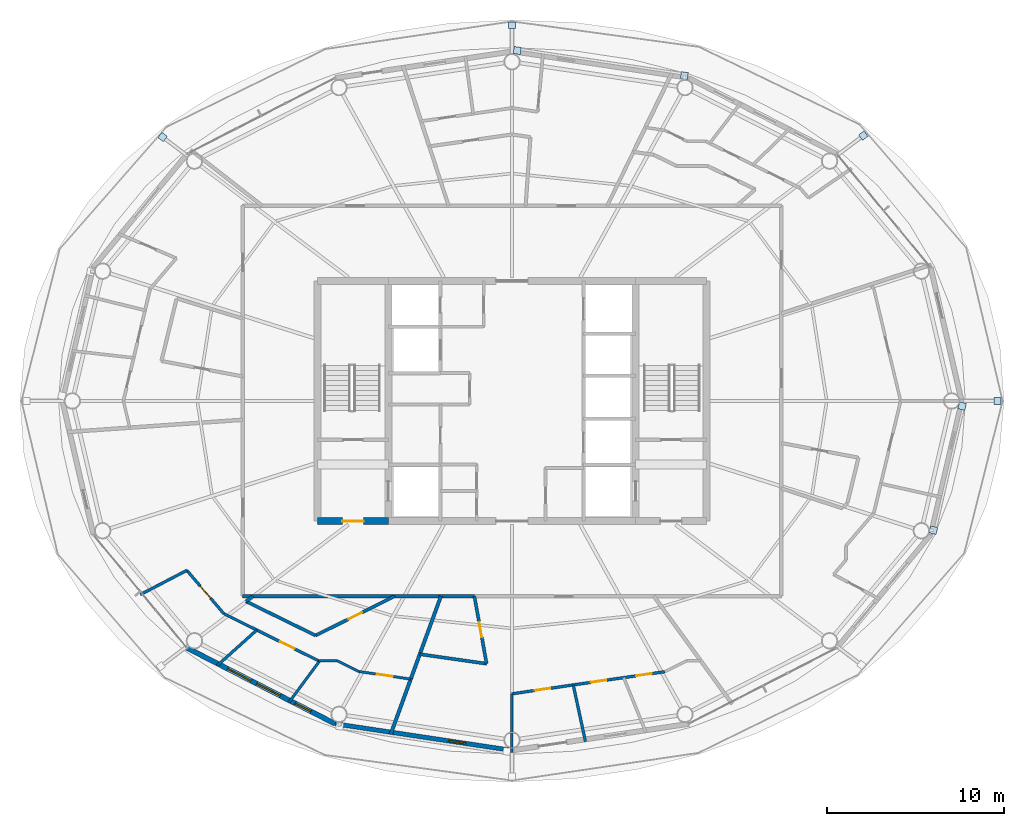
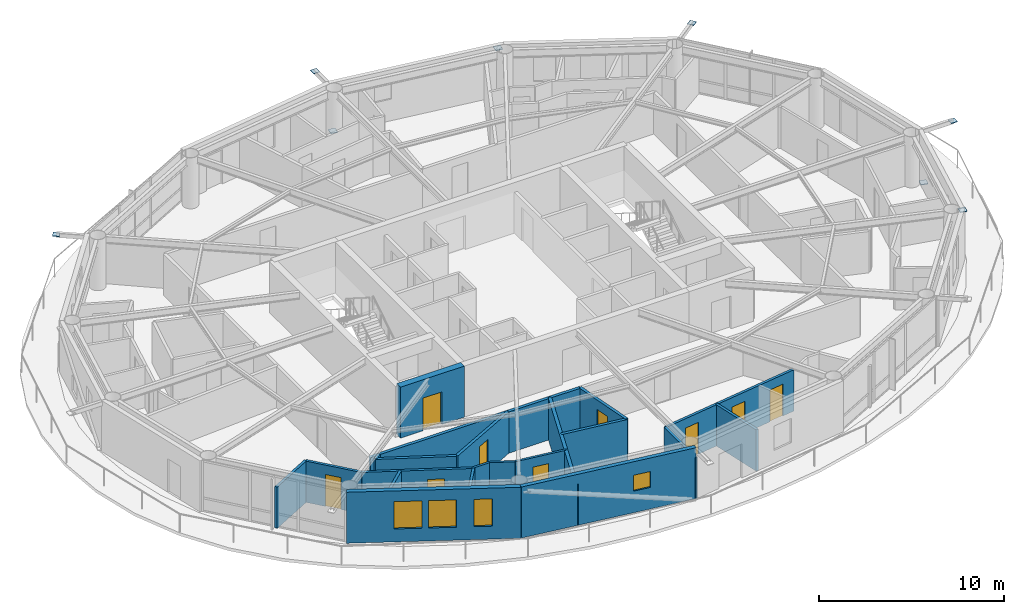
# One storey, part 15 of 23: 22 walls, 9 doors, 8 plates, 4 windows, 13 openings.
"""IFC4 building model written with IfcOpenShell, lengths in metres."""

from ifc_helpers import new_model, si_unit, direction, frame, frame_2d, origin, origin_2d, place, context, subcontext, project, spatial, rectangle, extrude, material, layer, layer_set, type_object, element, fill, save


model = new_model("IFC4")

# Units and contexts
model_context = context("Model", 3, precision=1e-05, world=origin(), true_north=direction((0.0, 1.0)))
body_context = subcontext(model_context, "Body", "Model", "MODEL_VIEW")
ifc_project = project(units=[si_unit("LENGTHUNIT", "METRE"), si_unit("AREAUNIT", "SQUARE_METRE"), si_unit("VOLUMEUNIT", "CUBIC_METRE"), si_unit("PLANEANGLEUNIT", "RADIAN"), si_unit("MASSUNIT", "GRAM", prefix="KILO")], contexts=[model_context])

# Site, building, storey
site_placement = place(None, origin())
site = spatial("IfcSite", under=ifc_project, at=site_placement, CompositionType="ELEMENT")
building_placement = place(site_placement, origin())
building = spatial("IfcBuilding", under=site, at=building_placement, Name="Sarneth Arch Tower", CompositionType="ELEMENT")
storey_placement = place(building_placement, frame((0.0, 0.0, 224.39990234375)))
storey = spatial("IfcBuildingStorey", under=building, at=storey_placement, Name="L57", CompositionType="ELEMENT", Elevation=224.39990234375)

# Plates
ifc_material_1 = material(Name="Steel S355", Category="steel")
ifc_layer_1 = layer(ifc_material_1, 0.035888671875)
ifc_layer_set_1 = layer_set([ifc_layer_1], Name="Steel S355")
plate_type = type_object("IfcPlateType", Name="PLT-GUSSET-30", PredefinedType="SHEET", material=ifc_layer_set_1)
for number, where, z_axis, x_axis, name in (
    (1, (75.47509765625, 42.0, 3.18212890625), (0.0, 0.0, 1.0), (1.0, 0.0, 0.0), "Steel end cap plate GP-1"),
    (2, (67.883544921875, 57.017822265625, 3.18212890625), (0.0, 0.0, 1.0), (0.798004853043, 0.602651022168, 0.0), "Steel end cap plate GP-1"),
):
    element("IfcPlate", number, at=place(storey_placement, frame(where, z_axis=z_axis, x_axis=x_axis)), inside=storey, type_object=plate_type, Name=name, PredefinedType="SHEET", context=body_context, shape_type="SweptSolid", body=[
        extrude(rectangle(XDim=0.3798828125, YDim=0.3798828125, at=origin_2d()), origin(), (0.0, 0.0, 1.0), 0.035888671875),
    ])
for number, where, z_axis, x_axis, name in (
    (3, (48.296630859375, 61.83544921875, 0.001953125), (0.0, 0.0, 1.0), (-0.988860535448, 0.148845024885, 0.0), "Steel end cap plate GP-1"),
    (4, (57.754150390625, 60.411376953125, 3.0185546875), (0.0, 0.0, 1.0), (-0.988860535448, 0.148845024885, 0.0), "Steel end cap plate GP-1"),
):
    element("IfcPlate", number, at=place(storey_placement, frame(where, z_axis=z_axis, x_axis=x_axis)), inside=storey, type_object=plate_type, Name=name, PredefinedType="SHEET", context=body_context, shape_type="SweptSolid", body=[
        extrude(rectangle(XDim=0.404052734375, YDim=0.404052734375, at=origin_2d()), origin(), (0.0, 0.0, 1.0), 0.035888671875),
    ])
for number, where, z_axis, x_axis, name in (
    (5, (48.0, 63.258056640625, 3.18212890625), (0.0, 0.0, 1.0), (0.0, 1.0, 0.0), "Steel end cap plate GP-1"),
    (6, (28.22265625, 56.9375, 3.18212890625), (0.0, 0.0, 1.0), (-0.798004853043, 0.602651022168, 0.0), "Steel end cap plate GP-1"),
):
    element("IfcPlate", number, at=place(storey_placement, frame(where, z_axis=z_axis, x_axis=x_axis)), inside=storey, type_object=plate_type, Name=name, PredefinedType="SHEET", context=body_context, shape_type="SweptSolid", body=[
        extrude(rectangle(XDim=0.3798828125, YDim=0.3798828125, at=origin_2d()), origin(), (0.0, 0.0, 1.0), 0.035888671875),
    ])
for number, where, z_axis, x_axis, name in (
    (7, (73.4765625, 41.707763671875, 0.001953125), (0.0, 0.0, 1.0), (0.225461202458, 0.974252147129, 0.0), "Steel end cap plate GP-1"),
    (8, (71.851806640625, 34.6845703125, 3.0185546875), (0.0, 0.0, 1.0), (0.225461202458, 0.974252147129, 0.0), "Steel end cap plate GP-1"),
):
    element("IfcPlate", number, at=place(storey_placement, frame(where, z_axis=z_axis, x_axis=x_axis)), inside=storey, type_object=plate_type, Name=name, PredefinedType="SHEET", context=body_context, shape_type="SweptSolid", body=[
        extrude(rectangle(XDim=0.404052734375, YDim=0.404052734375, at=origin_2d()), origin(), (0.0, 0.0, 1.0), 0.035888671875),
    ])

# Wall, opening, door
ifc_material_2 = material(Name="Concrete C50/60", Category="concrete")
ifc_layer_2 = layer(ifc_material_2, 0.39990234375)
ifc_layer_set_2 = layer_set([ifc_layer_2], Name="Concrete C50/60")
wall_type_1 = type_object("IfcWallType", Name="WALL-CORE-400", PredefinedType="SHEAR", material=ifc_layer_set_2)
wall_1_placement = place(storey_placement, frame((37.0, 35.199951171875, 0.0), z_axis=(0.0, 0.0, 1.0), x_axis=(1.0, 0.0, 0.0)))
wall_1 = element("IfcWall", 9, at=wall_1_placement, inside=storey, type_object=wall_type_1, Name="L57 Core shear wall S-W", PredefinedType="SHEAR", context=body_context, shape_type="SweptSolid", body=[
    extrude(rectangle(XDim=4.0, YDim=0.39990234375, at=frame_2d((2.0, 0.0))), origin(), (0.0, 0.0, 1.0), 3.360107421875),
])
opening_1_placement = place(wall_1_placement, frame((1.39990234375, 0.0, 0.0)))
opening_1 = element("IfcOpeningElement", 10, at=opening_1_placement, cuts=wall_1, Name="Opening FD-02", PredefinedType="OPENING", context=body_context, shape_type="SweptSolid", body=[
    extrude(rectangle(XDim=1.199951171875, YDim=2.14990234375, at=frame_2d((0.60009765625, 1.074951171875))), frame((0.0, 0.2099609375, 0.0), z_axis=(0.0, -1.0, 0.0), x_axis=(1.0, 0.0, 0.0)), (0.0, 0.0, 1.0), 0.419921875),
])
ifc_material_3 = material(Name="Galvanised Steel S275 fire door set", Category="steel")
door_type_1 = type_object("IfcDoorType", Name="DR-FD90-1200", OperationType="SINGLE_SWING_LEFT", PredefinedType="DOOR", material=ifc_material_3)
door_1_placement = place(opening_1_placement, origin())
door_1 = element("IfcDoor", 11, at=door_1_placement, inside=storey, type_object=door_type_1, Name="L57 Firefighting lobby 1 exit door", OperationType="SINGLE_SWING_LEFT", OverallHeight=2.14990234375, OverallWidth=1.199951171875, PredefinedType="DOOR", context=body_context, shape_type="SweptSolid", body=[
    extrude(rectangle(XDim=1.199951171875, YDim=2.14990234375, at=frame_2d((0.60009765625, 1.074951171875))), frame((0.0, 0.02490234375, 0.0), z_axis=(0.0, -1.0, 0.0), x_axis=(1.0, 0.0, 0.0)), (0.0, 0.0, 1.0), 0.050048828125),
])
fill(opening_1, door_1)

# Wall
ifc_material_4 = material(Name="Double steel-stud corridor fire wall", Category="steel")
ifc_layer_3 = layer(ifc_material_4, 0.18994140625)
ifc_layer_set_3 = layer_set([ifc_layer_3], Name="Double steel-stud corridor fire wall")
wall_type_2 = type_object("IfcWallType", Name="WALL-CORR-190", PredefinedType="PARTITIONING", material=ifc_layer_set_3)
wall_2_placement = place(storey_placement, frame((45.870361328125, 30.949951171875, 0.0), z_axis=(0.0, 0.0, 1.0), x_axis=(-1.0, 0.0, 0.0)))
element("IfcWall", 12, at=wall_2_placement, inside=storey, type_object=wall_type_2, Name="L57 Interior partition W-L57-TP-014", PredefinedType="PARTITIONING", context=body_context, shape_type="SweptSolid", body=[
    extrude(rectangle(XDim=13.120361328125, YDim=0.18994140625, at=frame_2d((6.56005859375, 0.0))), origin(), (0.0, 0.0, 1.0), 2.72021484375),
])

# Wall, opening, window
ifc_material_5 = material(Name="Extruded terracotta rainscreen on Concrete C40/50 backing", Category="masonry")
ifc_layer_4 = layer(ifc_material_5, 0.25)
ifc_layer_set_4 = layer_set([ifc_layer_4], Name="Extruded terracotta rainscreen on Concrete C40/50 backing")
wall_type_3 = type_object("IfcWallType", Name="WALL-EXT-SPAND-250", PredefinedType="SOLIDWALL", material=ifc_layer_set_4)
wall_3_placement = place(storey_placement, frame((37.9873046875, 23.7255859375, 0.0), z_axis=(0.0, 0.0, 1.0), x_axis=(0.988882522213, -0.148698881169, 0.0)))
wall_3 = element("IfcWall", 13, at=wall_3_placement, inside=storey, type_object=wall_type_3, Name="L57 Terracotta perimeter wall 12", PredefinedType="SOLIDWALL", context=body_context, shape_type="SweptSolid", body=[
    extrude(rectangle(XDim=10.125244140625, YDim=0.25, at=frame_2d((5.0625, 0.0))), origin(), (0.0, 0.0, 1.0), 3.360107421875),
])
opening_2_placement = place(wall_3_placement, frame((6.48779296875, 0.0, 1.419921875)))
opening_2 = element("IfcOpeningElement", 14, at=opening_2_placement, cuts=wall_3, Name="Opening W-14", PredefinedType="OPENING", context=body_context, shape_type="SweptSolid", body=[
    extrude(rectangle(XDim=1.0, YDim=1.050048828125, at=frame_2d((0.5, 0.52490234375))), frame((0.0, 0.135009765625, 0.0), z_axis=(0.0, -1.0, 0.0), x_axis=(1.0, 0.0, 0.0)), (0.0, 0.0, 1.0), 0.27001953125),
])
ifc_material_6 = material(Name="Thermally broken Aluminium 6063-T6 and low-e laminated IGU", Category="aluminium")
window_type_1 = type_object("IfcWindowType", Name="WIN-TWR-1000x1050", PartitioningType="SINGLE_PANEL", PredefinedType="WINDOW", material=ifc_material_6)
window_1_placement = place(opening_2_placement, origin())
window_1 = element("IfcWindow", 15, at=window_1_placement, inside=storey, type_object=window_type_1, Name="L57 Dwelling bedroom window 04", OverallHeight=1.050048828125, OverallWidth=1.0, PartitioningType="SINGLE_PANEL", PredefinedType="WINDOW", context=body_context, shape_type="SweptSolid", body=[
    extrude(rectangle(XDim=1.0, YDim=1.050048828125, at=frame_2d((0.5, 0.52490234375))), frame((0.0, 0.030029296875, 0.0), z_axis=(0.0, -1.0, 0.0), x_axis=(1.0, 0.0, 0.0)), (0.0, 0.0, 1.0), 0.06005859375),
])
fill(opening_2, window_1)

# Wall, openings, windows
ifc_material_7 = material(Name="Extruded terracotta rainscreen on Concrete C40/50 backing", Category="masonry")
ifc_layer_5 = layer(ifc_material_7, 0.280029296875)
ifc_layer_set_5 = layer_set([ifc_layer_5], Name="Extruded terracotta rainscreen on Concrete C40/50 backing")
wall_type_4 = type_object("IfcWallType", Name="WALL-EXT-TERRA-280", PredefinedType="SOLIDWALL", material=ifc_layer_set_5)
wall_4_placement = place(storey_placement, frame((29.617431640625, 28.013427734375, 0.0), z_axis=(0.0, 0.0, 1.0), x_axis=(0.890007394051, -0.455946091699, 0.0)))
wall_4 = element("IfcWall", 16, at=wall_4_placement, inside=storey, type_object=wall_type_4, Name="L57 Terracotta perimeter wall 11", PredefinedType="SOLIDWALL", context=body_context, shape_type="SweptSolid", body=[
    extrude(rectangle(XDim=9.404296875, YDim=0.280029296875, at=frame_2d((4.7021484375, 0.0))), origin(), (0.0, 0.0, 1.0), 3.360107421875),
])
opening_3_placement = place(wall_4_placement, frame((2.56640625, 0.0, 0.85009765625)))
opening_3 = element("IfcOpeningElement", 17, at=opening_3_placement, cuts=wall_4, Name="Opening W-07", PredefinedType="OPENING", context=body_context, shape_type="SweptSolid", body=[
    extrude(rectangle(XDim=1.5, YDim=1.800048828125, at=frame_2d((0.75, 0.89990234375))), frame((0.0, 0.14990234375, 0.0), z_axis=(0.0, -1.0, 0.0), x_axis=(1.0, 0.0, 0.0)), (0.0, 0.0, 1.0), 0.300048828125),
])
opening_4_placement = place(wall_4_placement, frame((4.420654296875, 0.0, 0.85009765625)))
opening_4 = element("IfcOpeningElement", 18, at=opening_4_placement, cuts=wall_4, Name="Opening W-07", PredefinedType="OPENING", context=body_context, shape_type="SweptSolid", body=[
    extrude(rectangle(XDim=1.5, YDim=1.800048828125, at=frame_2d((0.75, 0.89990234375))), frame((0.0, 0.14990234375, 0.0), z_axis=(0.0, -1.0, 0.0), x_axis=(1.0, 0.0, 0.0)), (0.0, 0.0, 1.0), 0.300048828125),
])
opening_5_placement = place(wall_4_placement, frame((6.8662109375, 0.0, 0.85009765625)))
opening_5 = element("IfcOpeningElement", 19, at=opening_5_placement, cuts=wall_4, Name="Opening W-11", PredefinedType="OPENING", context=body_context, shape_type="SweptSolid", body=[
    extrude(rectangle(XDim=1.0, YDim=1.800048828125, at=frame_2d((0.5, 0.89990234375))), frame((0.0, 0.14990234375, 0.0), z_axis=(0.0, -1.0, 0.0), x_axis=(1.0, 0.0, 0.0)), (0.0, 0.0, 1.0), 0.300048828125),
])
ifc_material_8 = material(Name="Thermally broken Aluminium 6063-T6 and low-e laminated IGU", Category="aluminium")
window_type_2 = type_object("IfcWindowType", Name="WIN-TWR-1000x1800", PartitioningType="SINGLE_PANEL", PredefinedType="WINDOW", material=ifc_material_8)
window_2_placement = place(opening_5_placement, origin())
window_2 = element("IfcWindow", 20, at=window_2_placement, inside=storey, type_object=window_type_2, Name="L57 Exterior window 11C", OverallHeight=1.800048828125, OverallWidth=1.0, PartitioningType="SINGLE_PANEL", PredefinedType="WINDOW", context=body_context, shape_type="SweptSolid", body=[
    extrude(rectangle(XDim=1.0, YDim=1.800048828125, at=frame_2d((0.5, 0.89990234375))), frame((0.0, 0.030029296875, 0.0), z_axis=(0.0, -1.0, 0.0), x_axis=(1.0, 0.0, 0.0)), (0.0, 0.0, 1.0), 0.06005859375),
])
fill(opening_5, window_2)
ifc_material_9 = material(Name="Thermally broken Aluminium 6063-T6 and low-e laminated IGU", Category="aluminium")
window_type_3 = type_object("IfcWindowType", Name="WIN-TWR-1500x1800", PartitioningType="SINGLE_PANEL", PredefinedType="WINDOW", material=ifc_material_9)
window_3_placement = place(opening_3_placement, origin())
window_3 = element("IfcWindow", 21, at=window_3_placement, inside=storey, type_object=window_type_3, Name="L57 Exterior window 11A", OverallHeight=1.800048828125, OverallWidth=1.5, PartitioningType="SINGLE_PANEL", PredefinedType="WINDOW", context=body_context, shape_type="SweptSolid", body=[
    extrude(rectangle(XDim=1.5, YDim=1.800048828125, at=frame_2d((0.75, 0.89990234375))), frame((0.0, 0.030029296875, 0.0), z_axis=(0.0, -1.0, 0.0), x_axis=(1.0, 0.0, 0.0)), (0.0, 0.0, 1.0), 0.06005859375),
])
fill(opening_3, window_3)
window_4_placement = place(opening_4_placement, origin())
window_4 = element("IfcWindow", 22, at=window_4_placement, inside=storey, type_object=window_type_3, Name="L57 Exterior window 11B", OverallHeight=1.800048828125, OverallWidth=1.5, PartitioningType="SINGLE_PANEL", PredefinedType="WINDOW", context=body_context, shape_type="SweptSolid", body=[
    extrude(rectangle(XDim=1.5, YDim=1.800048828125, at=frame_2d((0.75, 0.89990234375))), frame((0.0, 0.030029296875, 0.0), z_axis=(0.0, -1.0, 0.0), x_axis=(1.0, 0.0, 0.0)), (0.0, 0.0, 1.0), 0.06005859375),
])
fill(opening_4, window_4)

# Wall, opening, door
ifc_material_10 = material(Name="Apartment internal stud partition", Category="gypsum")
ifc_layer_6 = layer(ifc_material_10, 0.139892578125)
ifc_layer_set_6 = layer_set([ifc_layer_6], Name="Apartment internal stud partition")
wall_type_5 = type_object("IfcWallType", Name="WALL-PART-140", PredefinedType="PARTITIONING", material=ifc_layer_set_6)
wall_5_placement = place(storey_placement, frame((42.26953125, 26.255615234375, 0.0), z_axis=(0.0, 0.0, 1.0), x_axis=(-0.989530523264, 0.144323745545, 0.0)))
wall_5 = element("IfcWall", 23, at=wall_5_placement, inside=storey, type_object=wall_type_5, Name="L57 Interior partition W-L57-TP-074", PredefinedType="PARTITIONING", context=body_context, shape_type="SweptSolid", body=[
    extrude(rectangle(XDim=2.955322265625, YDim=0.139892578125, at=frame_2d((1.4775390625, 0.0))), origin(), (0.0, 0.0, 1.0), 2.72021484375),
])
opening_6_placement = place(wall_5_placement, frame((1.027587890625, 0.0, 0.0)))
opening_6 = element("IfcOpeningElement", 24, at=opening_6_placement, cuts=wall_5, Name="Opening ID-01", PredefinedType="OPENING", context=body_context, shape_type="SweptSolid", body=[
    extrude(rectangle(XDim=0.89990234375, YDim=2.10009765625, at=frame_2d((0.449951171875, 1.050048828125))), frame((0.0, 0.079833984375, 0.0), z_axis=(0.0, -1.0, 0.0), x_axis=(1.0, 0.0, 0.0)), (0.0, 0.0, 1.0), 0.159912109375),
])
ifc_material_11 = material(Name="Engineered hardwood flush door", Category="wood")
door_type_2 = type_object("IfcDoorType", Name="DR-INT-900", OperationType="SINGLE_SWING_LEFT", PredefinedType="DOOR", material=ifc_material_11)
door_2_placement = place(opening_6_placement, origin())
door_2 = element("IfcDoor", 25, at=door_2_placement, inside=storey, type_object=door_type_2, Name="L57 Interior door DR-L57-U5-BED2", OperationType="SINGLE_SWING_RIGHT", OverallHeight=2.10009765625, OverallWidth=0.89990234375, PredefinedType="DOOR", context=body_context, shape_type="SweptSolid", body=[
    extrude(rectangle(XDim=0.89990234375, YDim=2.10009765625, at=frame_2d((0.449951171875, 1.050048828125))), frame((0.0, 0.02490234375, 0.0), z_axis=(0.0, -1.0, 0.0), x_axis=(1.0, 0.0, 0.0)), (0.0, 0.0, 1.0), 0.050048828125),
])
fill(opening_6, door_2)

# Walls
wall_6_placement = place(storey_placement, frame((39.34521484375, 26.68212890625, 0.0), z_axis=(0.0, 0.0, 1.0), x_axis=(-0.895584310315, 0.444891833053, 0.0)))
element("IfcWall", 26, at=wall_6_placement, inside=storey, type_object=wall_type_5, Name="L57 Interior partition W-L57-TP-075", PredefinedType="PARTITIONING", context=body_context, shape_type="SweptSolid", body=[
    extrude(rectangle(XDim=1.388916015625, YDim=0.139892578125, at=frame_2d((0.6943359375, 0.0))), origin(), (0.0, 0.0, 1.0), 2.72021484375),
])
wall_7_placement = place(storey_placement, frame((38.101318359375, 27.300048828125, 0.0), z_axis=(0.0, 0.0, 1.0), x_axis=(-1.0, 0.0, 0.0)))
element("IfcWall", 27, at=wall_7_placement, inside=storey, type_object=wall_type_5, Name="L57 Interior partition W-L57-TP-076", PredefinedType="PARTITIONING", context=body_context, shape_type="SweptSolid", body=[
    extrude(rectangle(XDim=1.065185546875, YDim=0.139892578125, at=frame_2d((0.53271484375, 0.0))), origin(), (0.0, 0.0, 1.0), 2.72021484375),
])
ifc_material_12 = material(Name="Acoustic gypsum stud partition", Category="gypsum")
ifc_layer_7 = layer(ifc_material_12, 0.14990234375)
ifc_layer_set_7 = layer_set([ifc_layer_7], Name="Acoustic gypsum stud partition")
wall_type_6 = type_object("IfcWallType", Name="WALL-PART-150", PredefinedType="PARTITIONING", material=ifc_layer_set_7)
wall_8_placement = place(storey_placement, frame((35.37109375, 24.932861328125, 0.0), z_axis=(0.0, 0.0, 1.0), x_axis=(0.594787288624, 0.803883126637, 0.0)))
element("IfcWall", 28, at=wall_8_placement, inside=storey, type_object=wall_type_6, Name="L57 Interior partition W-L57-TP-080", PredefinedType="PARTITIONING", context=body_context, shape_type="SweptSolid", body=[
    extrude(rectangle(XDim=2.944580078125, YDim=0.14990234375, at=frame_2d((1.47216796875, 0.0))), origin(), (0.0, 0.0, 1.0), 2.72021484375),
])

# Wall, opening, door
ifc_material_13 = material(Name="Kitchen wet service chase wall", Category="gypsum")
ifc_layer_8 = layer(ifc_material_13, 0.159912109375)
ifc_layer_set_8 = layer_set([ifc_layer_8], Name="Kitchen wet service chase wall")
wall_type_7 = type_object("IfcWallType", Name="WALL-PLUMB-160", PredefinedType="PLUMBINGWALL", material=ifc_layer_set_8)
wall_9_placement = place(storey_placement, frame((37.0361328125, 27.300048828125, 0.0), z_axis=(0.0, 0.0, 1.0), x_axis=(-0.895471406875, 0.445119039661, 0.0)))
wall_9 = element("IfcWall", 29, at=wall_9_placement, inside=storey, type_object=wall_type_7, Name="L57 Interior partition W-L57-TP-073", PredefinedType="PLUMBINGWALL", context=body_context, shape_type="SweptSolid", body=[
    extrude(rectangle(XDim=5.971435546875, YDim=0.159912109375, at=frame_2d((2.98583984375, 0.0))), origin(), (0.0, 0.0, 1.0), 2.72021484375),
])
opening_7_placement = place(wall_9_placement, frame((1.51171875, 0.0, 0.0)))
opening_7 = element("IfcOpeningElement", 30, at=opening_7_placement, cuts=wall_9, Name="Opening ID-01", PredefinedType="OPENING", context=body_context, shape_type="SweptSolid", body=[
    extrude(rectangle(XDim=0.89990234375, YDim=2.10009765625, at=frame_2d((0.449951171875, 1.050048828125))), frame((0.0, 0.08984375, 0.0), z_axis=(0.0, -1.0, 0.0), x_axis=(1.0, 0.0, 0.0)), (0.0, 0.0, 1.0), 0.179931640625),
])
door_3_placement = place(opening_7_placement, origin())
door_3 = element("IfcDoor", 31, at=door_3_placement, inside=storey, type_object=door_type_2, Name="L57 Interior door DR-L57-U5-BED1", OperationType="SINGLE_SWING_RIGHT", OverallHeight=2.10009765625, OverallWidth=0.89990234375, PredefinedType="DOOR", context=body_context, shape_type="SweptSolid", body=[
    extrude(rectangle(XDim=0.89990234375, YDim=2.10009765625, at=frame_2d((0.449951171875, 1.050048828125))), frame((0.0, 0.02490234375, 0.0), z_axis=(0.0, -1.0, 0.0), x_axis=(1.0, 0.0, 0.0)), (0.0, 0.0, 1.0), 0.050048828125),
])
fill(opening_7, door_3)

# Wall, openings, doors
wall_10_placement = place(storey_placement, frame((47.98779296875, 25.421875, 0.0), z_axis=(0.0, 0.0, 1.0), x_axis=(0.989682378547, 0.143278712982, 0.0)))
wall_10 = element("IfcWall", 32, at=wall_10_placement, inside=storey, type_object=wall_type_7, Name="L57 Interior partition W-L57-TP-083", PredefinedType="PLUMBINGWALL", context=body_context, shape_type="SweptSolid", body=[
    extrude(rectangle(XDim=8.75830078125, YDim=0.159912109375, at=frame_2d((4.379150390625, 0.0))), origin(), (0.0, 0.0, 1.0), 2.72021484375),
])
opening_8_placement = place(wall_10_placement, frame((1.3076171875, 0.0, 0.0)))
opening_8 = element("IfcOpeningElement", 33, at=opening_8_placement, cuts=wall_10, Name="Opening ID-01", PredefinedType="OPENING", context=body_context, shape_type="SweptSolid", body=[
    extrude(rectangle(XDim=0.89990234375, YDim=2.10009765625, at=frame_2d((0.449951171875, 1.050048828125))), frame((0.0, 0.08984375, 0.0), z_axis=(0.0, -1.0, 0.0), x_axis=(1.0, 0.0, 0.0)), (0.0, 0.0, 1.0), 0.179931640625),
])
opening_9_placement = place(wall_10_placement, frame((4.510498046875, 0.0, 0.0)))
opening_9 = element("IfcOpeningElement", 34, at=opening_9_placement, cuts=wall_10, Name="Opening ID-01", PredefinedType="OPENING", context=body_context, shape_type="SweptSolid", body=[
    extrude(rectangle(XDim=0.89990234375, YDim=2.10009765625, at=frame_2d((0.449951171875, 1.050048828125))), frame((0.0, 0.08984375, 0.0), z_axis=(0.0, -1.0, 0.0), x_axis=(1.0, 0.0, 0.0)), (0.0, 0.0, 1.0), 0.179931640625),
])
opening_10_placement = place(wall_10_placement, frame((7.114990234375, 0.0, 0.0)))
opening_10 = element("IfcOpeningElement", 35, at=opening_10_placement, cuts=wall_10, Name="Opening ID-01", PredefinedType="OPENING", context=body_context, shape_type="SweptSolid", body=[
    extrude(rectangle(XDim=0.89990234375, YDim=2.10009765625, at=frame_2d((0.449951171875, 1.050048828125))), frame((0.0, 0.08984375, 0.0), z_axis=(0.0, -1.0, 0.0), x_axis=(1.0, 0.0, 0.0)), (0.0, 0.0, 1.0), 0.179931640625),
])
door_4_placement = place(opening_8_placement, origin())
door_4 = element("IfcDoor", 36, at=door_4_placement, inside=storey, type_object=door_type_2, Name="L57 Interior door DR-L57-U6-KIT", OperationType="SINGLE_SWING_RIGHT", OverallHeight=2.10009765625, OverallWidth=0.89990234375, PredefinedType="DOOR", context=body_context, shape_type="SweptSolid", body=[
    extrude(rectangle(XDim=0.89990234375, YDim=2.10009765625, at=frame_2d((0.449951171875, 1.050048828125))), frame((0.0, 0.02490234375, 0.0), z_axis=(0.0, -1.0, 0.0), x_axis=(1.0, 0.0, 0.0)), (0.0, 0.0, 1.0), 0.050048828125),
])
fill(opening_8, door_4)
door_5_placement = place(opening_9_placement, origin())
door_5 = element("IfcDoor", 37, at=door_5_placement, inside=storey, type_object=door_type_2, Name="L57 Interior door DR-L57-U6-BED1", OperationType="SINGLE_SWING_RIGHT", OverallHeight=2.10009765625, OverallWidth=0.89990234375, PredefinedType="DOOR", context=body_context, shape_type="SweptSolid", body=[
    extrude(rectangle(XDim=0.89990234375, YDim=2.10009765625, at=frame_2d((0.449951171875, 1.050048828125))), frame((0.0, 0.02490234375, 0.0), z_axis=(0.0, -1.0, 0.0), x_axis=(1.0, 0.0, 0.0)), (0.0, 0.0, 1.0), 0.050048828125),
])
fill(opening_9, door_5)
door_6_placement = place(opening_10_placement, origin())
door_6 = element("IfcDoor", 38, at=door_6_placement, inside=storey, type_object=door_type_2, Name="L57 Interior door DR-L57-U6-BED2", OperationType="SINGLE_SWING_LEFT", OverallHeight=2.10009765625, OverallWidth=0.89990234375, PredefinedType="DOOR", context=body_context, shape_type="SweptSolid", body=[
    extrude(rectangle(XDim=0.89990234375, YDim=2.10009765625, at=frame_2d((0.449951171875, 1.050048828125))), frame((0.0, 0.02490234375, 0.0), z_axis=(0.0, -1.0, 0.0), x_axis=(1.0, 0.0, 0.0)), (0.0, 0.0, 1.0), 0.050048828125),
])
fill(opening_10, door_6)

# Walls
wall_11_placement = place(storey_placement, frame((47.985107421875, 22.102294921875, 0.0), z_axis=(0.0, 0.0, 1.0), x_axis=(0.000809001721, 0.999999672758, 0.0)))
element("IfcWall", 39, at=wall_11_placement, inside=storey, type_object=wall_type_7, Name="L57 Interior partition W-L57-TP-082", PredefinedType="PLUMBINGWALL", context=body_context, shape_type="SweptSolid", body=[
    extrude(rectangle(XDim=3.319580078125, YDim=0.159912109375, at=frame_2d((1.65966796875, 0.0))), origin(), (0.0, 0.0, 1.0), 2.72021484375),
])
wall_12_placement = place(storey_placement, frame((51.466796875, 25.925537109375, 0.0), z_axis=(0.0, 0.0, 1.0), x_axis=(0.210745686609, -0.977540922711, 0.0)))
element("IfcWall", 40, at=wall_12_placement, inside=storey, type_object=wall_type_7, Name="L57 Interior partition W-L57-TP-091", PredefinedType="PLUMBINGWALL", context=body_context, shape_type="SweptSolid", body=[
    extrude(rectangle(XDim=3.27490234375, YDim=0.159912109375, at=frame_2d((1.637451171875, 0.0))), origin(), (0.0, 0.0, 1.0), 2.72021484375),
])

# Wall, opening, door
wall_13_placement = place(storey_placement, frame((31.68896484375, 29.9580078125, 0.0), z_axis=(0.0, 0.0, 1.0), x_axis=(-0.649012353166, 0.760777868657, 0.0)))
wall_13 = element("IfcWall", 41, at=wall_13_placement, inside=storey, type_object=wall_type_7, Name="L57 Interior partition W-L57-TP-067", PredefinedType="PLUMBINGWALL", context=body_context, shape_type="SweptSolid", body=[
    extrude(rectangle(XDim=3.22412109375, YDim=0.159912109375, at=frame_2d((1.612060546875, 0.0))), origin(), (0.0, 0.0, 1.0), 2.72021484375),
])
opening_11_placement = place(wall_13_placement, frame((1.162109375, 0.0, 0.0)))
opening_11 = element("IfcOpeningElement", 42, at=opening_11_placement, cuts=wall_13, Name="Opening ID-01", PredefinedType="OPENING", context=body_context, shape_type="SweptSolid", body=[
    extrude(rectangle(XDim=0.89990234375, YDim=2.10009765625, at=frame_2d((0.449951171875, 1.050048828125))), frame((0.0, 0.08984375, 0.0), z_axis=(0.0, -1.0, 0.0), x_axis=(1.0, 0.0, 0.0)), (0.0, 0.0, 1.0), 0.179931640625),
])
door_7_placement = place(opening_11_placement, origin())
door_7 = element("IfcDoor", 43, at=door_7_placement, inside=storey, type_object=door_type_2, Name="L57 Interior door DR-L57-U5-KIT", OperationType="SINGLE_SWING_RIGHT", OverallHeight=2.10009765625, OverallWidth=0.89990234375, PredefinedType="DOOR", context=body_context, shape_type="SweptSolid", body=[
    extrude(rectangle(XDim=0.89990234375, YDim=2.10009765625, at=frame_2d((0.449951171875, 1.050048828125))), frame((0.0, 0.02490234375, 0.0), z_axis=(0.0, -1.0, 0.0), x_axis=(1.0, 0.0, 0.0)), (0.0, 0.0, 1.0), 0.050048828125),
])
fill(opening_11, door_7)

# Walls
wall_14_placement = place(storey_placement, frame((31.3125, 27.019287109375, 0.0), z_axis=(0.0, 0.0, 1.0), x_axis=(0.744144111532, 0.668019117445, 0.0)))
element("IfcWall", 44, at=wall_14_placement, inside=storey, type_object=wall_type_7, Name="L57 Interior partition W-L57-TP-079", PredefinedType="PLUMBINGWALL", context=body_context, shape_type="SweptSolid", body=[
    extrude(rectangle(XDim=3.011474609375, YDim=0.159912109375, at=frame_2d((1.505859375, 0.0))), origin(), (0.0, 0.0, 1.0), 2.72021484375),
])
wall_15_placement = place(storey_placement, frame((29.596435546875, 32.410888671875, 0.0), z_axis=(0.0, 0.0, 1.0), x_axis=(-0.886874801181, -0.462009834344, 0.0)))
element("IfcWall", 45, at=wall_15_placement, inside=storey, type_object=wall_type_7, Name="L57 Interior partition W-L57-TP-068", PredefinedType="PLUMBINGWALL", context=body_context, shape_type="SweptSolid", body=[
    extrude(rectangle(XDim=2.970947265625, YDim=0.159912109375, at=frame_2d((1.4853515625, 0.0))), origin(), (0.0, 0.0, 1.0), 2.72021484375),
])

# Wall, opening, door
ifc_material_14 = material(Name="Moisture-resistant plumbing chase wall", Category="gypsum")
ifc_layer_9 = layer(ifc_material_14, 0.179931640625)
ifc_layer_set_9 = layer_set([ifc_layer_9], Name="Moisture-resistant plumbing chase wall")
wall_type_8 = type_object("IfcWallType", Name="WALL-PLUMB-180", PredefinedType="PLUMBINGWALL", material=ifc_layer_set_9)
wall_16_placement = place(storey_placement, frame((41.366455078125, 30.949951171875, 0.0), z_axis=(0.0, 0.0, 1.0), x_axis=(-0.895701232799, -0.444656385946, 0.0)))
wall_16 = element("IfcWall", 46, at=wall_16_placement, inside=storey, type_object=wall_type_8, Name="L57 Interior partition W-L57-TP-069", PredefinedType="PLUMBINGWALL", context=body_context, shape_type="SweptSolid", body=[
    extrude(rectangle(XDim=5.00634765625, YDim=0.179931640625, at=frame_2d((2.503173828125, 0.0))), origin(), (0.0, 0.0, 1.0), 2.72021484375),
])
opening_12_placement = place(wall_16_placement, frame((2.078125, 0.0, 0.0)))
opening_12 = element("IfcOpeningElement", 47, at=opening_12_placement, cuts=wall_16, Name="Opening ID-02", PredefinedType="OPENING", context=body_context, shape_type="SweptSolid", body=[
    extrude(rectangle(XDim=0.85009765625, YDim=2.10009765625, at=frame_2d((0.425048828125, 1.050048828125))), frame((0.0, 0.099853515625, 0.0), z_axis=(0.0, -1.0, 0.0), x_axis=(1.0, 0.0, 0.0)), (0.0, 0.0, 1.0), 0.199951171875),
])
ifc_material_15 = material(Name="Moisture-resistant bathroom timber door", Category="wood")
door_type_3 = type_object("IfcDoorType", Name="DR-INT-850", OperationType="SINGLE_SWING_RIGHT", PredefinedType="DOOR", material=ifc_material_15)
door_8_placement = place(opening_12_placement, origin())
door_8 = element("IfcDoor", 48, at=door_8_placement, inside=storey, type_object=door_type_3, Name="L57 Interior door DR-L57-U5-BATH", OperationType="SINGLE_SWING_LEFT", OverallHeight=2.10009765625, OverallWidth=0.85009765625, PredefinedType="DOOR", context=body_context, shape_type="SweptSolid", body=[
    extrude(rectangle(XDim=0.85009765625, YDim=2.10009765625, at=frame_2d((0.425048828125, 1.050048828125))), frame((0.0, 0.02490234375, 0.0), z_axis=(0.0, -1.0, 0.0), x_axis=(1.0, 0.0, 0.0)), (0.0, 0.0, 1.0), 0.050048828125),
])
fill(opening_12, door_8)

# Wall
wall_17_placement = place(storey_placement, frame((36.88232421875, 28.723876953125, 0.0), z_axis=(0.0, 0.0, 1.0), x_axis=(-0.897797301304, 0.440408907461, 0.0)))
element("IfcWall", 49, at=wall_17_placement, inside=storey, type_object=wall_type_8, Name="L57 Interior partition W-L57-TP-070", PredefinedType="PLUMBINGWALL", context=body_context, shape_type="SweptSolid", body=[
    extrude(rectangle(XDim=4.385498046875, YDim=0.179931640625, at=frame_2d((2.19287109375, 0.0))), origin(), (0.0, 0.0, 1.0), 2.72021484375),
])

# Wall, opening, door
wall_18_placement = place(storey_placement, frame((46.563720703125, 27.12548828125, 0.0), z_axis=(0.0, 0.0, 1.0), x_axis=(-0.178387939108, 0.983960234553, 0.0)))
wall_18 = element("IfcWall", 50, at=wall_18_placement, inside=storey, type_object=wall_type_8, Name="L57 Interior partition W-L57-TP-085", PredefinedType="PLUMBINGWALL", context=body_context, shape_type="SweptSolid", body=[
    extrude(rectangle(XDim=3.88671875, YDim=0.179931640625, at=frame_2d((1.943359375, 0.0))), origin(), (0.0, 0.0, 1.0), 2.72021484375),
])
opening_13_placement = place(wall_18_placement, frame((1.518310546875, 0.0, 0.0)))
opening_13 = element("IfcOpeningElement", 51, at=opening_13_placement, cuts=wall_18, Name="Opening ID-02", PredefinedType="OPENING", context=body_context, shape_type="SweptSolid", body=[
    extrude(rectangle(XDim=0.85009765625, YDim=2.10009765625, at=frame_2d((0.425048828125, 1.050048828125))), frame((0.0, 0.099853515625, 0.0), z_axis=(0.0, -1.0, 0.0), x_axis=(1.0, 0.0, 0.0)), (0.0, 0.0, 1.0), 0.199951171875),
])
door_9_placement = place(opening_13_placement, origin())
door_9 = element("IfcDoor", 52, at=door_9_placement, inside=storey, type_object=door_type_3, Name="L57 Interior door DR-L57-U6-BATH", OperationType="SINGLE_SWING_RIGHT", OverallHeight=2.10009765625, OverallWidth=0.85009765625, PredefinedType="DOOR", context=body_context, shape_type="SweptSolid", body=[
    extrude(rectangle(XDim=0.85009765625, YDim=2.10009765625, at=frame_2d((0.425048828125, 1.050048828125))), frame((0.0, 0.02490234375, 0.0), z_axis=(0.0, -1.0, 0.0), x_axis=(1.0, 0.0, 0.0)), (0.0, 0.0, 1.0), 0.050048828125),
])
fill(opening_13, door_9)

# Walls
wall_19_placement = place(storey_placement, frame((42.782958984375, 27.666259765625, 0.0), z_axis=(0.0, 0.0, 1.0), x_axis=(0.989925187984, -0.141591391669, 0.0)))
element("IfcWall", 53, at=wall_19_placement, inside=storey, type_object=wall_type_8, Name="L57 Interior partition W-L57-TP-084", PredefinedType="PLUMBINGWALL", context=body_context, shape_type="SweptSolid", body=[
    extrude(rectangle(XDim=3.8193359375, YDim=0.179931640625, at=frame_2d((1.90966796875, 0.0))), origin(), (0.0, 0.0, 1.0), 2.72021484375),
])
wall_20_placement = place(storey_placement, frame((32.945068359375, 30.6552734375, 0.0), z_axis=(0.0, 0.0, 1.0), x_axis=(0.798681895285, 0.601753462927, 0.0)))
element("IfcWall", 54, at=wall_20_placement, inside=storey, type_object=wall_type_8, Name="L57 Interior partition W-L57-TP-071", PredefinedType="PLUMBINGWALL", context=body_context, shape_type="SweptSolid", body=[
    extrude(rectangle(XDim=0.48974609375, YDim=0.179931640625, at=frame_2d((0.244873046875, 0.0))), origin(), (0.0, 0.0, 1.0), 2.72021484375),
])
ifc_material_16 = material(Name="Double steel-stud acoustic drywall", Category="steel")
ifc_layer_10 = layer(ifc_material_16, 0.199951171875)
ifc_layer_set_10 = layer_set([ifc_layer_10], Name="Double steel-stud acoustic drywall")
wall_type_9 = type_object("IfcWallType", Name="WALL-UNIT-200", PredefinedType="PARTITIONING", material=ifc_layer_set_10)
wall_21_placement = place(storey_placement, frame((43.97802734375, 30.949951171875, 0.0), z_axis=(0.0, 0.0, 1.0), x_axis=(-0.34200203284, -0.939699212266, 0.0)))
element("IfcWall", 55, at=wall_21_placement, inside=storey, type_object=wall_type_9, Name="L57 Interior partition W-L57-TP-078", PredefinedType="PARTITIONING", context=body_context, shape_type="SweptSolid", body=[
    extrude(rectangle(XDim=4.99560546875, YDim=0.199951171875, at=frame_2d((2.497802734375, 0.0))), origin(), (0.0, 0.0, 1.0), 2.72021484375),
])
wall_22_placement = place(storey_placement, frame((41.13330078125, 23.133544921875, 0.0), z_axis=(0.0, 0.0, 1.0), x_axis=(0.342000121366, 0.939699907942, 0.0)))
element("IfcWall", 56, at=wall_22_placement, inside=storey, type_object=wall_type_9, Name="L57 Interior partition W-L57-TP-081", PredefinedType="PARTITIONING", context=body_context, shape_type="SweptSolid", body=[
    extrude(rectangle(XDim=3.355224609375, YDim=0.199951171875, at=frame_2d((1.677734375, 0.0))), origin(), (0.0, 0.0, 1.0), 2.72021484375),
])

save(model, "model.ifc")
